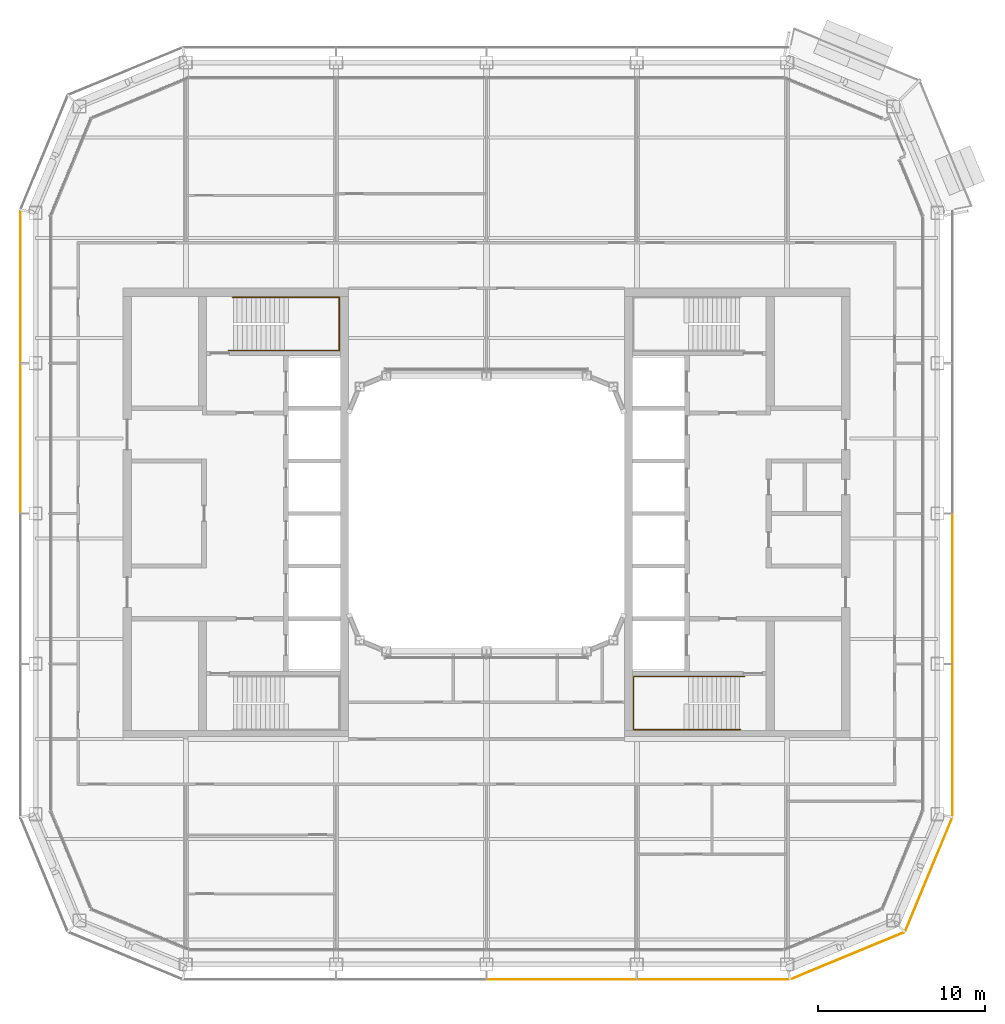
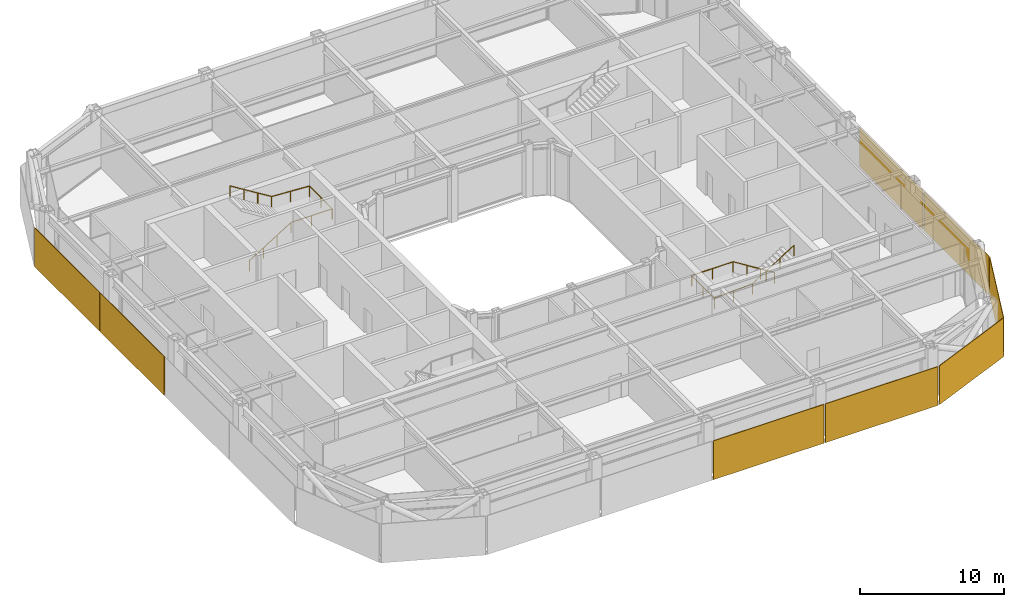
# One storey, part 20 of 23: 8 coverings, 2 railings.
"""IFC4 building model written with IfcOpenShell, lengths in metres."""

from ifc_helpers import new_model, si_unit, direction, frame, origin, origin_2d, place, context, subcontext, project, spatial, rectangle, circle, extrude, material, layer, layer_set, type_object, element, save


model = new_model("IFC4")

# Units and contexts
model_context = context("Model", 3, precision=1e-05, world=origin(), true_north=direction((0.0, 1.0)))
body_context = subcontext(model_context, "Body", "Model", "MODEL_VIEW")
ifc_project = project(units=[si_unit("LENGTHUNIT", "METRE"), si_unit("AREAUNIT", "SQUARE_METRE"), si_unit("VOLUMEUNIT", "CUBIC_METRE"), si_unit("PLANEANGLEUNIT", "RADIAN"), si_unit("MASSUNIT", "GRAM", prefix="KILO")], contexts=[model_context])

# Site, building, storey
site_placement = place(None, origin())
site = spatial("IfcSite", under=ifc_project, at=site_placement, CompositionType="ELEMENT")
building_placement = place(site_placement, origin())
building = spatial("IfcBuilding", under=site, at=building_placement, Name="Siwar Civic Tower", CompositionType="ELEMENT")
storey_placement = place(building_placement, frame((0.0, 0.0, 260.199951171875)))
storey = spatial("IfcBuildingStorey", under=building, at=storey_placement, Name="L56", CompositionType="ELEMENT", Elevation=260.199951171875)

# Railings
ifc_material_1 = material(Name="Stainless steel", Category="steel")
railing_type = type_object("IfcRailingType", Name="CORE-STAIR-HANDRAIL", PredefinedType="HANDRAIL", material=ifc_material_1)
railing_1_placement = place(storey_placement, frame((-15.449951171875, 9.758056640625, 0.173095703125)))
element("IfcRailing", 1, at=railing_1_placement, inside=storey, type_object=railing_type, Name="Stair handrail ST1", PredefinedType="HANDRAIL", context=body_context, shape_type="SweptSolid", body=[
    extrude(circle(Radius=0.02001953125, at=origin_2d()), frame((0.0, 0.0, 0.8798828125), z_axis=(0.847063342986, 0.0, 0.531491950051), x_axis=(0.0, 1.0, 0.0)), (0.0, 0.0, 1.0), 3.90771484375),
    extrude(circle(Radius=0.02001953125, at=origin_2d()), frame((3.31005859375, 0.0, 2.956787109375), z_axis=(1.0, 0.0, 0.0), x_axis=(0.0, 1.0, 0.0)), (0.0, 0.0, 1.0), 3.331787109375),
    extrude(circle(Radius=0.02001953125, at=origin_2d()), frame((6.641845703125, 0.0, 2.956787109375), z_axis=(0.0, 1.0, 0.0), x_axis=(-1.0, 0.0, 0.0)), (0.0, 0.0, 1.0), 3.183837890625),
    extrude(circle(Radius=0.02001953125, at=origin_2d()), frame((6.641845703125, 3.183837890625, 2.956787109375), z_axis=(-0.99837434197, 0.0, 0.056997134106), x_axis=(0.0, -1.0, 0.0)), (0.0, 0.0, 1.0), 3.036865234375),
    extrude(circle(Radius=0.02001953125, at=origin_2d()), frame((3.60986328125, 3.183837890625, 3.1298828125), z_axis=(-0.850606129759, 0.0, 0.525803396734), x_axis=(0.0, -1.0, 0.0)), (0.0, 0.0, 1.0), 3.949951171875),
    extrude(circle(Radius=0.02001953125, at=origin_2d()), origin(), (0.0, 0.0, 1.0), 0.85986328125),
    extrude(circle(Radius=0.02001953125, at=origin_2d()), frame((1.103271484375, 0.0, 0.6923828125)), (0.0, 0.0, 1.0), 0.85986328125),
    extrude(circle(Radius=0.02001953125, at=origin_2d()), frame((2.206787109375, 0.0, 1.384521484375)), (0.0, 0.0, 1.0), 0.85986328125),
    extrude(circle(Radius=0.02001953125, at=origin_2d()), frame((3.31005859375, 0.0, 2.076904296875)), (0.0, 0.0, 1.0), 0.85986328125),
    extrude(circle(Radius=0.02001953125, at=origin_2d()), frame((4.97607421875, 0.0, 2.076904296875)), (0.0, 0.0, 1.0), 0.85986328125),
    extrude(circle(Radius=0.02001953125, at=origin_2d()), frame((6.641845703125, 0.0, 2.076904296875)), (0.0, 0.0, 1.0), 0.85986328125),
    extrude(circle(Radius=0.02001953125, at=origin_2d()), frame((6.641845703125, 1.591796875, 2.076904296875)), (0.0, 0.0, 1.0), 0.85986328125),
    extrude(circle(Radius=0.02001953125, at=origin_2d()), frame((6.641845703125, 3.183837890625, 2.076904296875)), (0.0, 0.0, 1.0), 0.85986328125),
    extrude(circle(Radius=0.02001953125, at=origin_2d()), frame((5.1259765625, 3.183837890625, 2.16357421875)), (0.0, 0.0, 1.0), 0.85986328125),
    extrude(circle(Radius=0.02001953125, at=origin_2d()), frame((3.60986328125, 3.183837890625, 2.25)), (0.0, 0.0, 1.0), 0.85986328125),
    extrude(circle(Radius=0.02001953125, at=origin_2d()), frame((2.489990234375, 3.183837890625, 2.9423828125)), (0.0, 0.0, 1.0), 0.85986328125),
    extrude(circle(Radius=0.02001953125, at=origin_2d()), frame((1.369873046875, 3.183837890625, 3.634521484375)), (0.0, 0.0, 1.0), 0.85986328125),
    extrude(circle(Radius=0.02001953125, at=origin_2d()), frame((0.25, 3.183837890625, 4.326904296875)), (0.0, 0.0, 1.0), 0.85986328125),
])
railing_2_placement = place(storey_placement, frame((15.449951171875, -9.758056640625, 0.173095703125)))
element("IfcRailing", 2, at=railing_2_placement, inside=storey, type_object=railing_type, Name="Stair handrail ST4", PredefinedType="HANDRAIL", context=body_context, shape_type="SweptSolid", body=[
    extrude(circle(Radius=0.02001953125, at=origin_2d()), frame((0.0, 0.0, 0.8798828125), z_axis=(-0.847063342986, 0.0, 0.531491950051), x_axis=(0.0, -1.0, 0.0)), (0.0, 0.0, 1.0), 3.90771484375),
    extrude(circle(Radius=0.02001953125, at=origin_2d()), frame((-3.31005859375, 0.0, 2.956787109375), z_axis=(-1.0, 0.0, 0.0), x_axis=(0.0, -1.0, 0.0)), (0.0, 0.0, 1.0), 3.331787109375),
    extrude(circle(Radius=0.02001953125, at=origin_2d()), frame((-6.641845703125, 0.0, 2.956787109375), z_axis=(0.0, -1.0, 0.0), x_axis=(1.0, 0.0, 0.0)), (0.0, 0.0, 1.0), 3.183837890625),
    extrude(circle(Radius=0.02001953125, at=origin_2d()), frame((-6.641845703125, -3.183837890625, 2.956787109375), z_axis=(0.99837434197, 0.0, 0.056997134106), x_axis=(0.0, 1.0, 0.0)), (0.0, 0.0, 1.0), 3.036865234375),
    extrude(circle(Radius=0.02001953125, at=origin_2d()), frame((-3.60986328125, -3.183837890625, 3.1298828125), z_axis=(0.850606129759, 0.0, 0.525803396734), x_axis=(0.0, 1.0, 0.0)), (0.0, 0.0, 1.0), 3.949951171875),
    extrude(circle(Radius=0.02001953125, at=origin_2d()), origin(), (0.0, 0.0, 1.0), 0.85986328125),
    extrude(circle(Radius=0.02001953125, at=origin_2d()), frame((-1.103271484375, 0.0, 0.6923828125)), (0.0, 0.0, 1.0), 0.85986328125),
    extrude(circle(Radius=0.02001953125, at=origin_2d()), frame((-2.206787109375, 0.0, 1.384521484375)), (0.0, 0.0, 1.0), 0.85986328125),
    extrude(circle(Radius=0.02001953125, at=origin_2d()), frame((-3.31005859375, 0.0, 2.076904296875)), (0.0, 0.0, 1.0), 0.85986328125),
    extrude(circle(Radius=0.02001953125, at=origin_2d()), frame((-4.97607421875, 0.0, 2.076904296875)), (0.0, 0.0, 1.0), 0.85986328125),
    extrude(circle(Radius=0.02001953125, at=origin_2d()), frame((-6.641845703125, 0.0, 2.076904296875)), (0.0, 0.0, 1.0), 0.85986328125),
    extrude(circle(Radius=0.02001953125, at=origin_2d()), frame((-6.641845703125, -1.591796875, 2.076904296875)), (0.0, 0.0, 1.0), 0.85986328125),
    extrude(circle(Radius=0.02001953125, at=origin_2d()), frame((-6.641845703125, -3.183837890625, 2.076904296875)), (0.0, 0.0, 1.0), 0.85986328125),
    extrude(circle(Radius=0.02001953125, at=origin_2d()), frame((-5.1259765625, -3.183837890625, 2.16357421875)), (0.0, 0.0, 1.0), 0.85986328125),
    extrude(circle(Radius=0.02001953125, at=origin_2d()), frame((-3.60986328125, -3.183837890625, 2.25)), (0.0, 0.0, 1.0), 0.85986328125),
    extrude(circle(Radius=0.02001953125, at=origin_2d()), frame((-2.489990234375, -3.183837890625, 2.9423828125)), (0.0, 0.0, 1.0), 0.85986328125),
    extrude(circle(Radius=0.02001953125, at=origin_2d()), frame((-1.369873046875, -3.183837890625, 3.634521484375)), (0.0, 0.0, 1.0), 0.85986328125),
    extrude(circle(Radius=0.02001953125, at=origin_2d()), frame((-0.25, -3.183837890625, 4.326904296875)), (0.0, 0.0, 1.0), 0.85986328125),
])

# Coverings
ifc_material_2 = material(Name="Perforated aluminium cassette, pale metal", Category="aluminium")
ifc_layer_1 = layer(ifc_material_2, 0.0400390625)
ifc_layer_set_1 = layer_set([ifc_layer_1], Name="Perforated aluminium cassette, pale metal")
covering_type_1 = type_object("IfcCoveringType", Name="ENV-OUTER SKIN OS-1", PredefinedType="CLADDING", material=ifc_layer_set_1)
covering_1_placement = place(storey_placement, frame((27.89990234375, -13.57958984375, -0.14990234375), z_axis=(0.0, 0.0, 1.0), x_axis=(0.0, 1.0, 0.0)))
element("IfcCovering", 3, at=covering_1_placement, inside=storey, type_object=covering_type_1, Name="OUTER SKIN OS-1 E 1", PredefinedType="CLADDING", context=body_context, shape_type="SweptSolid", body=[
    extrude(rectangle(XDim=9.05908203125, YDim=0.0400390625, at=origin_2d()), origin(), (0.0, 0.0, 1.0), 3.300048828125),
])
covering_2_placement = place(storey_placement, frame((27.89990234375, -4.5, -0.14990234375), z_axis=(0.0, 0.0, 1.0), x_axis=(0.0, 1.0, 0.0)))
element("IfcCovering", 4, at=covering_2_placement, inside=storey, type_object=covering_type_1, Name="OUTER SKIN OS-1 E 2", PredefinedType="CLADDING", context=body_context, shape_type="SweptSolid", body=[
    extrude(rectangle(XDim=8.89990234375, YDim=0.0400390625, at=origin_2d()), origin(), (0.0, 0.0, 1.0), 3.300048828125),
])
ifc_material_3 = material(Name="Perforated aluminium cassette, pale metal", Category="aluminium")
ifc_layer_2 = layer(ifc_material_3, 0.044921875)
ifc_layer_set_2 = layer_set([ifc_layer_2], Name="Perforated aluminium cassette, pale metal")
covering_type_2 = type_object("IfcCoveringType", Name="ENV-OUTER SKIN OS-2", PredefinedType="CLADDING", material=ifc_layer_set_2)
covering_3_placement = place(storey_placement, frame((26.476318359375, -21.615966796875, -0.14990234375), z_axis=(0.0, 0.0, 1.0), x_axis=(0.382683432365, 0.923879532511, 0.0)))
element("IfcCovering", 5, at=covering_3_placement, inside=storey, type_object=covering_type_2, Name="OUTER SKIN OS-2 SE2 1", PredefinedType="CLADDING", context=body_context, shape_type="SweptSolid", body=[
    extrude(rectangle(XDim=7.300048828125, YDim=0.044921875, at=origin_2d()), origin(), (0.0, 0.0, 1.0), 3.300048828125),
])
ifc_material_4 = material(Name="Perforated aluminium cassette, pale metal", Category="aluminium")
ifc_layer_3 = layer(ifc_material_4, 0.050048828125)
ifc_layer_set_3 = layer_set([ifc_layer_3], Name="Perforated aluminium cassette, pale metal")
covering_type_3 = type_object("IfcCoveringType", Name="ENV-OUTER SKIN OS-3", PredefinedType="CLADDING", material=ifc_layer_set_3)
covering_4_placement = place(storey_placement, frame((21.615966796875, -26.476318359375, -0.14990234375), z_axis=(0.0, 0.0, 1.0), x_axis=(0.923879532511, 0.382683432365, 0.0)))
element("IfcCovering", 6, at=covering_4_placement, inside=storey, type_object=covering_type_3, Name="OUTER SKIN OS-3 SE1 1", PredefinedType="CLADDING", context=body_context, shape_type="SweptSolid", body=[
    extrude(rectangle(XDim=7.300048828125, YDim=0.050048828125, at=origin_2d()), origin(), (0.0, 0.0, 1.0), 3.300048828125),
])
covering_5_placement = place(storey_placement, frame((-27.89990234375, 13.57958984375, -0.14990234375), z_axis=(0.0, 0.0, 1.0), x_axis=(0.0, -1.0, 0.0)))
element("IfcCovering", 7, at=covering_5_placement, inside=storey, type_object=covering_type_3, Name="OUTER SKIN OS-3 W 1", PredefinedType="CLADDING", context=body_context, shape_type="SweptSolid", body=[
    extrude(rectangle(XDim=9.05908203125, YDim=0.050048828125, at=origin_2d()), origin(), (0.0, 0.0, 1.0), 3.300048828125),
])
covering_6_placement = place(storey_placement, frame((-27.89990234375, 4.5, -0.14990234375), z_axis=(0.0, 0.0, 1.0), x_axis=(0.0, -1.0, 0.0)))
element("IfcCovering", 8, at=covering_6_placement, inside=storey, type_object=covering_type_3, Name="OUTER SKIN OS-3 W 2", PredefinedType="CLADDING", context=body_context, shape_type="SweptSolid", body=[
    extrude(rectangle(XDim=8.89990234375, YDim=0.050048828125, at=origin_2d()), origin(), (0.0, 0.0, 1.0), 3.300048828125),
])
ifc_material_5 = material(Name="Perforated aluminium cassette, pale metal", Category="aluminium")
ifc_layer_4 = layer(ifc_material_5, 0.054931640625)
ifc_layer_set_4 = layer_set([ifc_layer_4], Name="Perforated aluminium cassette, pale metal")
covering_type_4 = type_object("IfcCoveringType", Name="ENV-OUTER SKIN OS-4", PredefinedType="CLADDING", material=ifc_layer_set_4)
covering_7_placement = place(storey_placement, frame((4.5, -27.89990234375, -0.14990234375), z_axis=(0.0, 0.0, 1.0), x_axis=(1.0, 0.0, 0.0)))
element("IfcCovering", 9, at=covering_7_placement, inside=storey, type_object=covering_type_4, Name="OUTER SKIN OS-4 S 3", PredefinedType="CLADDING", context=body_context, shape_type="SweptSolid", body=[
    extrude(rectangle(XDim=8.89990234375, YDim=0.054931640625, at=origin_2d()), origin(), (0.0, 0.0, 1.0), 3.300048828125),
])
covering_8_placement = place(storey_placement, frame((13.57958984375, -27.89990234375, -0.14990234375), z_axis=(0.0, 0.0, 1.0), x_axis=(1.0, 0.0, 0.0)))
element("IfcCovering", 10, at=covering_8_placement, inside=storey, type_object=covering_type_4, Name="OUTER SKIN OS-4 S 4", PredefinedType="CLADDING", context=body_context, shape_type="SweptSolid", body=[
    extrude(rectangle(XDim=9.05908203125, YDim=0.054931640625, at=origin_2d()), origin(), (0.0, 0.0, 1.0), 3.300048828125),
])

save(model, "model.ifc")
